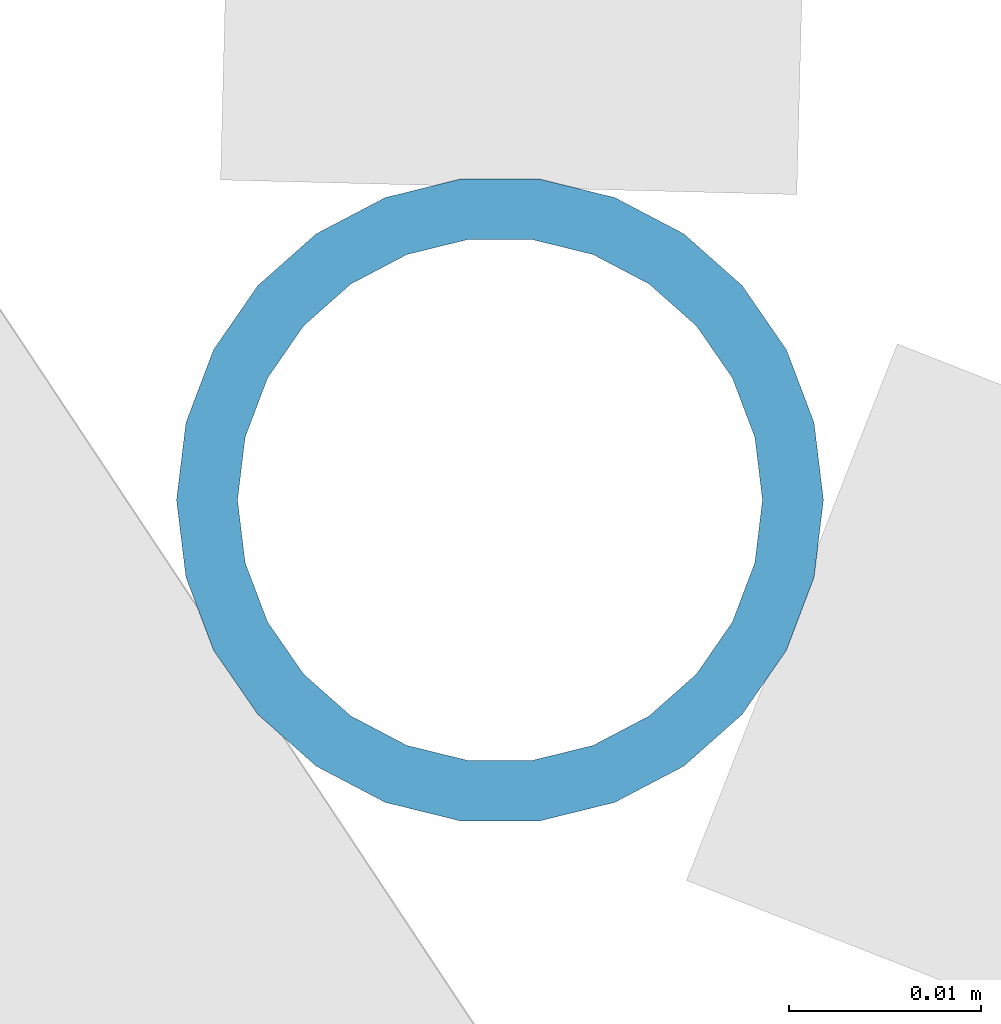
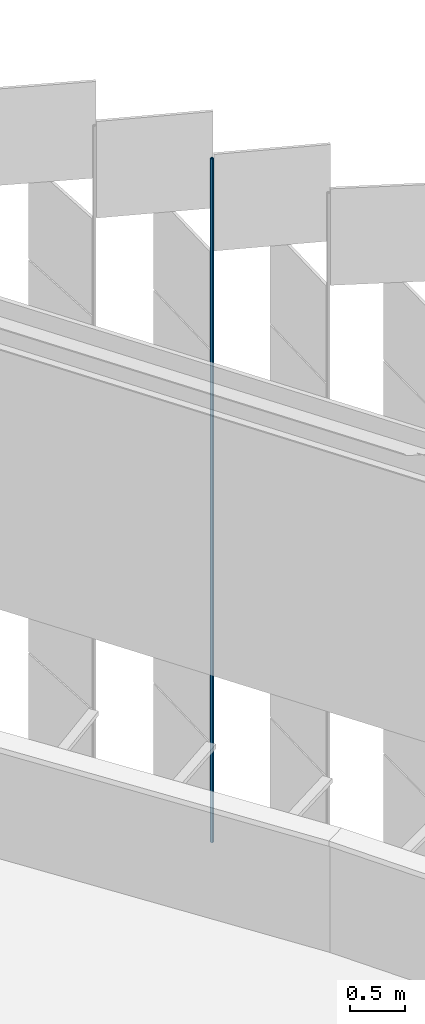
# One storey, part 326 of 483: 1 discrete accessory.
"""IFC4 building model written with IfcOpenShell, lengths in metres."""

from ifc_helpers import new_model, si_unit, direction, frame, origin, origin_2d, place, context, subcontext, project, spatial, hollow_circle, extrude, material, material_profile, profile_set, type_object, element, save


model = new_model("IFC4")

# Units and contexts
model_context = context("Model", 3, precision=1e-05, world=origin(), true_north=direction((0.0, 1.0)))
body_context = subcontext(model_context, "Body", "Model", "MODEL_VIEW")
ifc_project = project(units=[si_unit("LENGTHUNIT", "METRE"), si_unit("AREAUNIT", "SQUARE_METRE"), si_unit("VOLUMEUNIT", "CUBIC_METRE"), si_unit("PLANEANGLEUNIT", "RADIAN"), si_unit("MASSUNIT", "GRAM", prefix="KILO")], contexts=[model_context])

# Site, building, storey
site_placement = place(None, origin())
site = spatial("IfcSite", under=ifc_project, at=site_placement, CompositionType="ELEMENT")
building_placement = place(site_placement, origin())
building = spatial("IfcBuilding", under=site, at=building_placement, Name="Parallax Yard Mobility Hub", CompositionType="ELEMENT")
storey_placement = place(building_placement, frame((0.0, 0.0, 13.199951171875)))
storey = spatial("IfcBuildingStorey", under=building, at=storey_placement, Name="L04", CompositionType="ELEMENT", Elevation=13.199951171875)

# Discrete accessory
ifc_material = material(Name="Steel ASTM A500 Gr C, hot-dip galvanised", Category="steel")
ifc_material_profile = material_profile(ifc_material, hollow_circle(Radius=0.016845703125, WallThickness=0.003173828125, at=origin_2d()), Name="CHS 33.7x3.2")
ifc_profile_set = profile_set([ifc_material_profile], Name="Steel ASTM A500 Gr C, hot-dip galvanised")
discrete_accessory_type = type_object("IfcDiscreteAccessoryType", Name="Hinge post CHS 33.7x3.2", PredefinedType="BRACKET", material=ifc_profile_set)
discrete_accessory_placement = place(storey_placement, frame((216.997802734375, 119.373779296875, 0.0), z_axis=(0.0, 0.0, 1.0), x_axis=(1.0, 0.0, 0.0)))
element("IfcDiscreteAccessory", 1, at=discrete_accessory_placement, inside=storey, type_object=discrete_accessory_type, Name="Hinge post bay 44.6 level L04", PredefinedType="BRACKET", context=body_context, shape_type="SweptSolid", body=[
    extrude(hollow_circle(Radius=0.016845703125, WallThickness=0.003173828125, at=origin_2d()), origin(), (0.0, 0.0, 1.0), 7.650146484375),
])

save(model, "model.ifc")
